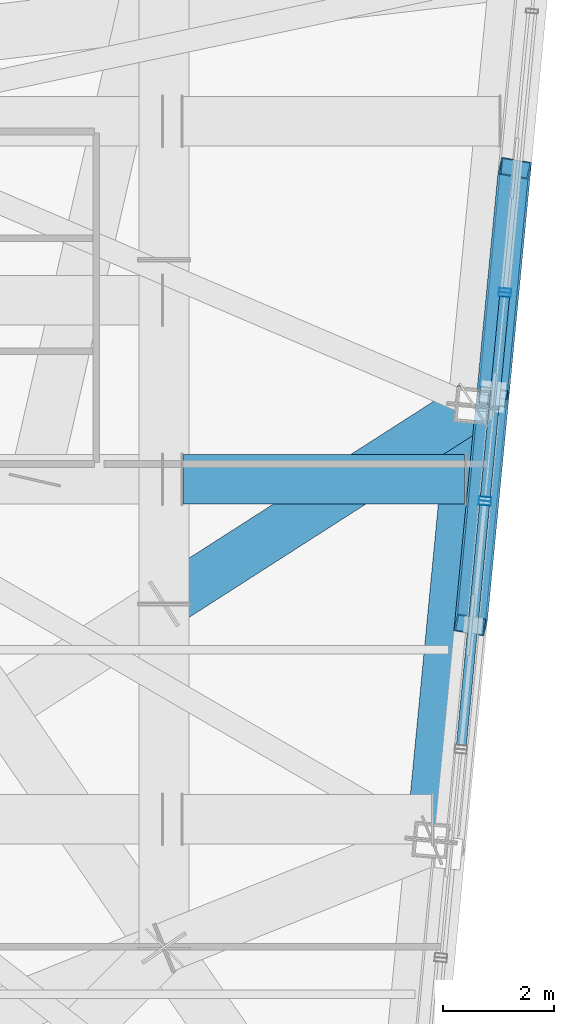
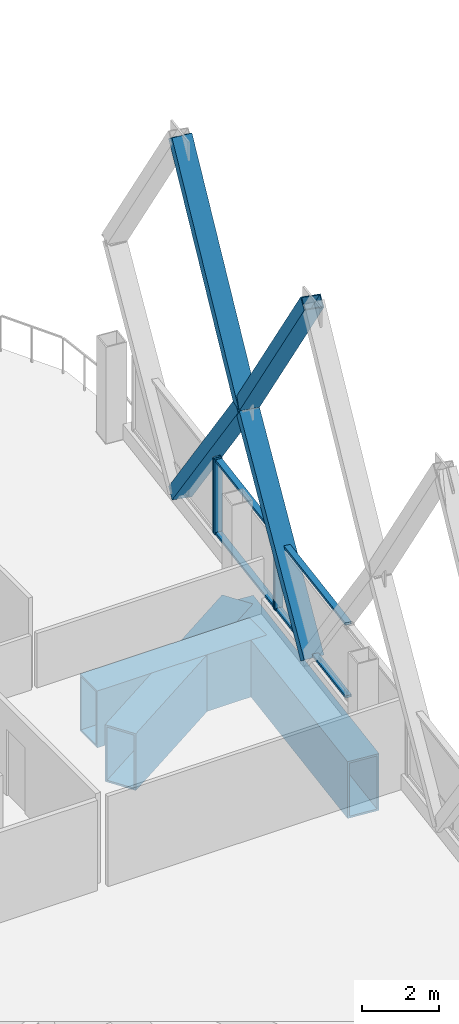
# One storey, part 17 of 31: 12 members, 3 beams, 3 elements without a shape of their own.
"""IFC4 building model written with IfcOpenShell, lengths in metres."""

from ifc_helpers import new_model, si_unit, direction, frame, origin, origin_2d, place, context, subcontext, project, spatial, hollow_rectangle, extrude, material, layer, layer_set, material_profile, profile_set, type_object, element, aggregate, save


model = new_model("IFC4")

# Units and contexts
model_context = context("Model", 3, precision=1e-05, world=origin(), true_north=direction((0.0, 1.0)))
body_context = subcontext(model_context, "Body", "Model", "MODEL_VIEW")
ifc_project = project(units=[si_unit("LENGTHUNIT", "METRE"), si_unit("AREAUNIT", "SQUARE_METRE"), si_unit("VOLUMEUNIT", "CUBIC_METRE"), si_unit("PLANEANGLEUNIT", "RADIAN"), si_unit("MASSUNIT", "GRAM", prefix="KILO")], contexts=[model_context])

# Site, building, storey
site_placement = place(None, origin())
site = spatial("IfcSite", under=ifc_project, at=site_placement, CompositionType="ELEMENT")
building_placement = place(site_placement, origin())
building = spatial("IfcBuilding", under=site, at=building_placement, Name="Qhalaya Broadcast Tower", CompositionType="ELEMENT")
storey_placement = place(building_placement, frame((0.0, 0.0, 242.85009765625)))
storey = spatial("IfcBuildingStorey", under=building, at=storey_placement, Name="L71", CompositionType="ELEMENT", Elevation=242.85009765625)

# Beams
ifc_material_1 = material(Name="Structural Steel ASTM A572 Grade 50", Category="steel")
ifc_material_profile_1 = material_profile(ifc_material_1, hollow_rectangle(XDim=0.89990234375, YDim=1.800048828125, WallThickness=0.06005859375, at=origin_2d()), Name="BOX 900x1800x60")
ifc_profile_set_1 = profile_set([ifc_material_profile_1], Name="Structural Steel ASTM A572 Grade 50")
beam_type = type_object("IfcBeamType", Name="Block Cantilever Transfer Box Girder TG1", PredefinedType="USERDEFINED", material=ifc_profile_set_1)
beam_1_placement = place(storey_placement, frame((20.58251953125, -9.132568359375, -1.090087890625), z_axis=(0.095834223619, 0.995397308407, 0.0), x_axis=(-0.995397308407, 0.095834223619, 0.0)))
element("IfcBeam", 1, at=beam_1_placement, inside=storey, type_object=beam_type, Name="L71 TG1 L71-SPR-06", ObjectType="GIRDER", PredefinedType="USERDEFINED", context=body_context, shape_type="SweptSolid", body=[
    extrude(hollow_rectangle(XDim=0.89990234375, YDim=1.800048828125, WallThickness=0.06005859375, at=origin_2d()), origin(), (0.0, 0.0, 1.0), 7.86669921875),
])
beam_2_placement = place(storey_placement, frame((15.77001953125, -4.8701171875, -1.090087890625), z_axis=(0.841885591281, 0.539656048973, 0.0), x_axis=(-0.539656048973, 0.841885591281, 0.0)))
element("IfcBeam", 2, at=beam_2_placement, inside=storey, type_object=beam_type, Name="L71 Cantilever Transfer Box Girder 07", ObjectType="GIRDER", PredefinedType="USERDEFINED", context=body_context, shape_type="SweptSolid", body=[
    extrude(hollow_rectangle(XDim=0.89990234375, YDim=1.800048828125, WallThickness=0.06005859375, at=origin_2d()), origin(), (0.0, 0.0, 1.0), 6.61181640625),
])
beam_3_placement = place(storey_placement, frame((16.110107421875, -2.625, -1.090087890625), z_axis=(1.0, 0.0, 0.0), x_axis=(0.0, 1.0, 0.0)))
element("IfcBeam", 3, at=beam_3_placement, inside=storey, type_object=beam_type, Name="L71 TG1 L71-PGYE2-OV1", ObjectType="GIRDER", PredefinedType="USERDEFINED", context=body_context, shape_type="SweptSolid", body=[
    extrude(hollow_rectangle(XDim=0.89990234375, YDim=1.800048828125, WallThickness=0.06005859375, at=origin_2d()), origin(), (0.0, 0.0, 1.0), 5.078857421875),
])

# Members
ifc_material_profile_2 = material_profile(ifc_material_1, hollow_rectangle(XDim=0.3798828125, YDim=0.550048828125, WallThickness=0.02490234375, at=origin_2d()), Name="BOX 380x550x25")
ifc_profile_set_2 = profile_set([ifc_material_profile_2], Name="Structural Steel ASTM A572 Grade 50")
member_type_1 = type_object("IfcMemberType", Name="Exoskeleton Diamond Diagonal Upper EX4", PredefinedType="BRACE", material=ifc_profile_set_2)
member_1_placement = place(storey_placement, frame((21.2978515625, -5.25, 0.35986328125), z_axis=(0.058300658059, 0.60538569949, 0.793794172392), x_axis=(-0.171147030491, -0.777313225214, 0.605386524347)))
element("IfcMember", 4, at=member_1_placement, inside=storey, type_object=member_type_1, Name="B6 Exoskeleton Diamond Brace E2-D2", PredefinedType="BRACE", context=body_context, shape_type="SweptSolid", body=[
    extrude(hollow_rectangle(XDim=0.3798828125, YDim=0.550048828125, WallThickness=0.02490234375, at=origin_2d()), origin(), (0.0, 0.0, 1.0), 6.79638671875),
])
member_2_placement = place(storey_placement, frame((21.694091796875, -1.135498046875, 5.7548828125), z_axis=(-0.055160262532, -0.572776281238, 0.817853701519), x_axis=(0.173442755081, 0.801151701204, 0.572777061664)))
element("IfcMember", 5, at=member_2_placement, inside=storey, type_object=member_type_1, Name="B6 Exoskeleton Diamond Brace E2-D4", PredefinedType="BRACE", context=body_context, shape_type="SweptSolid", body=[
    extrude(hollow_rectangle(XDim=0.3798828125, YDim=0.550048828125, WallThickness=0.02490234375, at=origin_2d()), origin(), (0.0, 0.0, 1.0), 7.183349609375),
])
member_3_placement = place(storey_placement, frame((22.090087890625, 2.978759765625, 0.35986328125), z_axis=(-0.058266125563, -0.605364209609, 0.793813096602), x_axis=(0.171107534, 0.777341068105, 0.605361937725)))
element("IfcMember", 6, at=member_3_placement, inside=storey, type_object=member_type_1, Name="B6 Exoskeleton Diamond Brace E3-D1", PredefinedType="BRACE", context=body_context, shape_type="SweptSolid", body=[
    extrude(hollow_rectangle(XDim=0.3798828125, YDim=0.550048828125, WallThickness=0.02490234375, at=origin_2d()), origin(), (0.0, 0.0, 1.0), 6.79638671875),
])
member_4_placement = place(storey_placement, frame((21.694091796875, -1.135498046875, 5.7548828125), z_axis=(0.055127452373, 0.572754517502, 0.817871155303), x_axis=(-0.17340185175, -0.801178209115, 0.572752368)))
element("IfcMember", 7, at=member_4_placement, inside=storey, type_object=member_type_1, Name="B6 Exoskeleton Diamond Brace E3-D3", PredefinedType="BRACE", context=body_context, shape_type="SweptSolid", body=[
    extrude(hollow_rectangle(XDim=0.3798828125, YDim=0.550048828125, WallThickness=0.02490234375, at=origin_2d()), origin(), (0.0, 0.0, 1.0), 7.183349609375),
])

# Curtain wall, member
ifc_material_2 = material(Name="Fired Architectural Terracotta", Category="masonry")
ifc_layer_1 = layer(ifc_material_2, 0.219970703125, Name="Fired Architectural Terracotta")
ifc_layer_set_1 = layer_set([ifc_layer_1], Name="Fired Architectural Terracotta")
curtain_wall_type_1 = type_object("IfcCurtainWallType", Name="Block-Cap Unitised Terracotta Spandrel Wall CW-07", PredefinedType="NOTDEFINED", material=ifc_layer_set_1)
curtain_wall_1_placement = place(storey_placement, origin())
curtain_wall_1 = element("IfcCurtainWall", 8, at=curtain_wall_1_placement, inside=storey, type_object=curtain_wall_type_1, Name="L71 Unitised Curtain Wall L71-CW-E3", PredefinedType="NOTDEFINED")
ifc_material_3 = material(Name="Anodised Aluminium 6063-T6", Category="aluminium")
ifc_material_profile_3 = material_profile(ifc_material_3, hollow_rectangle(XDim=0.074951171875, YDim=0.219970703125, WallThickness=0.00390625, at=origin_2d()), Name="ALU-MUL 75x220x4")
ifc_profile_set_3 = profile_set([ifc_material_profile_3], Name="Anodised Aluminium 6063-T6")
member_type_2 = type_object("IfcMemberType", Name="Unitised Curtain-Wall Mullion M01", PredefinedType="MULLION", material=ifc_profile_set_3)
member_5_placement = place(storey_placement, frame((21.549560546875, -3.054443359375, 0.47998046875), z_axis=(0.0, 0.0, 1.0), x_axis=(0.09586123001, 0.995394707933, 0.0)))
member_5 = element("IfcMember", 9, at=member_5_placement, type_object=member_type_2, Name="CW-07 mullion 2", PredefinedType="MULLION", context=body_context, shape_type="SweptSolid", body=[
    extrude(hollow_rectangle(XDim=0.074951171875, YDim=0.219970703125, WallThickness=0.00390625, at=origin_2d()), origin(), (0.0, 0.0, 1.0), 2.3798828125),
])

# Curtain wall, members
ifc_material_4 = material(Name="Solar-Control Low-E Triple Glazing", Category="glass")
ifc_layer_2 = layer(ifc_material_4, 0.219970703125, Name="Solar-Control Low-E Triple Glazing")
ifc_layer_set_2 = layer_set([ifc_layer_2], Name="Solar-Control Low-E Triple Glazing")
curtain_wall_type_2 = type_object("IfcCurtainWallType", Name="High-Altitude Upper-Shaft Triple Low-E Curtain Wall CW-04", PredefinedType="NOTDEFINED", material=ifc_layer_set_2)
curtain_wall_2_placement = place(storey_placement, origin())
curtain_wall_2 = element("IfcCurtainWall", 10, at=curtain_wall_2_placement, inside=storey, type_object=curtain_wall_type_2, Name="L71 Unitised Curtain Wall L71-CW-E4", PredefinedType="NOTDEFINED")
member_6_placement = place(storey_placement, frame((21.556640625, -2.979736328125, 0.47998046875), z_axis=(0.0, 0.0, 1.0), x_axis=(0.095839673292, 0.995396783712, 0.0)))
member_6 = element("IfcMember", 11, at=member_6_placement, type_object=member_type_2, Name="CW-04 mullion 1", PredefinedType="MULLION", context=body_context, shape_type="SweptSolid", body=[
    extrude(hollow_rectangle(XDim=0.074951171875, YDim=0.219970703125, WallThickness=0.00390625, at=origin_2d()), origin(), (0.0, 0.0, 1.0), 2.3798828125),
])
member_7_placement = place(storey_placement, frame((21.9111328125, 0.701171875, 0.47998046875), z_axis=(0.0, 0.0, 1.0), x_axis=(0.095839673292, 0.995396783712, 0.0)))
member_7 = element("IfcMember", 12, at=member_7_placement, type_object=member_type_2, Name="CW-04 mullion 2", PredefinedType="MULLION", context=body_context, shape_type="SweptSolid", body=[
    extrude(hollow_rectangle(XDim=0.074951171875, YDim=0.219970703125, WallThickness=0.00390625, at=origin_2d()), origin(), (0.0, 0.0, 1.0), 2.3798828125),
])

# Curtain wall, member
curtain_wall_3_placement = place(storey_placement, origin())
curtain_wall_3 = element("IfcCurtainWall", 13, at=curtain_wall_3_placement, inside=storey, type_object=curtain_wall_type_1, Name="L71 Unitised Curtain Wall L71-CW-E5", PredefinedType="NOTDEFINED")
member_8_placement = place(storey_placement, frame((21.918212890625, 0.77587890625, 0.47998046875), z_axis=(0.0, 0.0, 1.0), x_axis=(0.095847607498, 0.995396019751, 0.0)))
member_8 = element("IfcMember", 14, at=member_8_placement, type_object=member_type_2, Name="CW-07 mullion 1", PredefinedType="MULLION", context=body_context, shape_type="SweptSolid", body=[
    extrude(hollow_rectangle(XDim=0.074951171875, YDim=0.219970703125, WallThickness=0.00390625, at=origin_2d()), origin(), (0.0, 0.0, 1.0), 2.3798828125),
])
aggregate(curtain_wall_3, [member_8])

# Member
ifc_material_profile_4 = material_profile(ifc_material_3, hollow_rectangle(XDim=0.074951171875, YDim=0.179931640625, WallThickness=0.00390625, at=origin_2d()), Name="ALU-TRN 75x180x4")
ifc_profile_set_4 = profile_set([ifc_material_profile_4], Name="Anodised Aluminium 6063-T6")
member_type_3 = type_object("IfcMemberType", Name="Unitised Curtain-Wall Transom T01", PredefinedType="USERDEFINED", material=ifc_profile_set_4)
member_9_placement = place(storey_placement, frame((21.12939453125, -7.415771484375, 0.517333984375), z_axis=(0.095880537478, 0.995392848343, 0.0), x_axis=(0.0, 0.0, 1.0)))
member_9 = element("IfcMember", 15, at=member_9_placement, type_object=member_type_3, Name="CW-07 transom 1.1", ObjectType="TRANSOM", PredefinedType="USERDEFINED", context=body_context, shape_type="SweptSolid", body=[
    extrude(hollow_rectangle(XDim=0.074951171875, YDim=0.179931640625, WallThickness=0.00390625, at=origin_2d()), origin(), (0.0, 0.0, 1.0), 4.343994140625),
])

member_10_placement = place(storey_placement, frame((21.12939453125, -7.415771484375, 2.822509765625), z_axis=(0.095880537478, 0.995392848343, 0.0), x_axis=(0.0, 0.0, 1.0)))
member_10 = element("IfcMember", 16, at=member_10_placement, type_object=member_type_3, Name="CW-07 transom 1.2", ObjectType="TRANSOM", PredefinedType="USERDEFINED", context=body_context, shape_type="SweptSolid", body=[
    extrude(hollow_rectangle(XDim=0.074951171875, YDim=0.179931640625, WallThickness=0.00390625, at=origin_2d()), origin(), (0.0, 0.0, 1.0), 4.343994140625),
])

aggregate(curtain_wall_1, [member_5, member_9, member_10])

member_11_placement = place(storey_placement, frame((21.560302734375, -2.9423828125, 0.517333984375), z_axis=(0.095826687714, 0.995398033915, 0.0), x_axis=(0.0, 0.0, 1.0)))
member_11 = element("IfcMember", 17, at=member_11_placement, type_object=member_type_3, Name="CW-04 transom 1.1", ObjectType="TRANSOM", PredefinedType="USERDEFINED", context=body_context, shape_type="SweptSolid", body=[
    extrude(hollow_rectangle(XDim=0.074951171875, YDim=0.179931640625, WallThickness=0.00390625, at=origin_2d()), origin(), (0.0, 0.0, 1.0), 3.622802734375),
])

member_12_placement = place(storey_placement, frame((21.560302734375, -2.9423828125, 2.822509765625), z_axis=(0.095826687714, 0.995398033915, 0.0), x_axis=(0.0, 0.0, 1.0)))
member_12 = element("IfcMember", 18, at=member_12_placement, type_object=member_type_3, Name="CW-04 transom 1.2", ObjectType="TRANSOM", PredefinedType="USERDEFINED", context=body_context, shape_type="SweptSolid", body=[
    extrude(hollow_rectangle(XDim=0.074951171875, YDim=0.179931640625, WallThickness=0.00390625, at=origin_2d()), origin(), (0.0, 0.0, 1.0), 3.622802734375),
])

aggregate(curtain_wall_2, [member_6, member_7, member_11, member_12])

save(model, "model.ifc")
